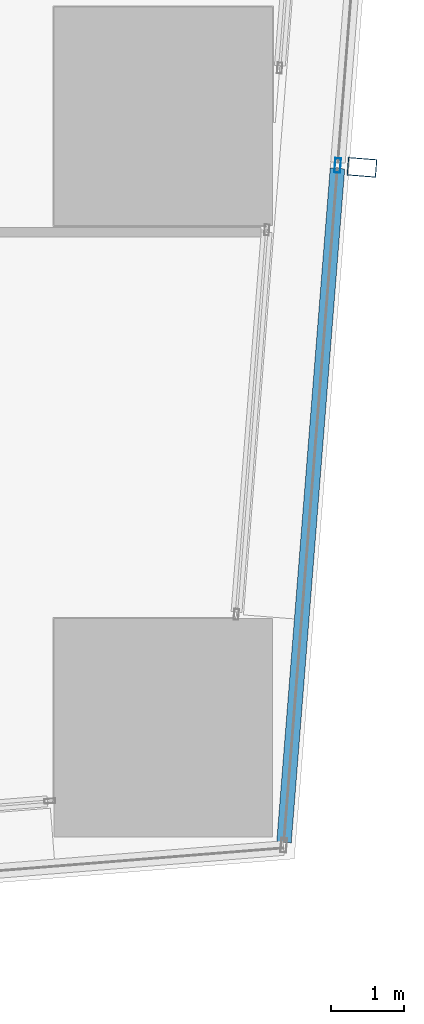
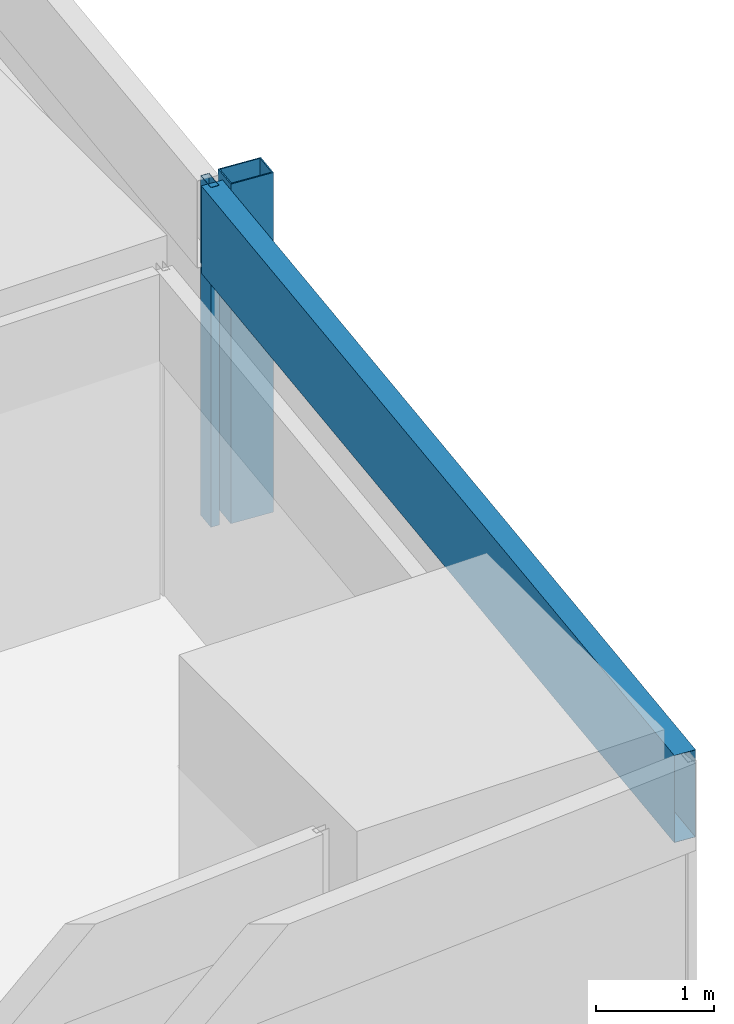
# One storey, part 25 of 45: 3 members, 1 element without a shape of its own.
"""IFC4 building model written with IfcOpenShell, lengths in metres."""

from ifc_helpers import new_model, si_unit, direction, frame, origin, origin_2d, place, context, subcontext, project, spatial, hollow_rectangle, extrude, material, material_profile, profile_set, type_object, element, aggregate, save


model = new_model("IFC4")

# Units and contexts
model_context = context("Model", 3, precision=1e-05, world=origin(), true_north=direction((0.0, 1.0)))
body_context = subcontext(model_context, "Body", "Model", "MODEL_VIEW")
ifc_project = project(units=[si_unit("LENGTHUNIT", "METRE"), si_unit("AREAUNIT", "SQUARE_METRE"), si_unit("VOLUMEUNIT", "CUBIC_METRE"), si_unit("PLANEANGLEUNIT", "RADIAN"), si_unit("MASSUNIT", "GRAM", prefix="KILO")], contexts=[model_context])

# Site, building, storey
site_placement = place(None, origin())
site = spatial("IfcSite", under=ifc_project, at=site_placement, CompositionType="ELEMENT")
building_placement = place(site_placement, origin())
building = spatial("IfcBuilding", under=site, at=building_placement, Name="Rekha Terrace Tower", CompositionType="ELEMENT")
storey_placement = place(building_placement, frame((0.0, 0.0, 77.89990234375)))
storey = spatial("IfcBuildingStorey", under=building, at=storey_placement, Name="L19", CompositionType="ELEMENT", Elevation=77.89990234375)

# Curtain wall, members
ifc_material_1 = material(Name="Aluminium framing", Category="aluminium")
curtain_wall_type = type_object("IfcCurtainWallType", Name="CW2 double skin outer glazing", PredefinedType="USERDEFINED", material=ifc_material_1)
curtain_wall_placement = place(storey_placement, origin())
curtain_wall = element("IfcCurtainWall", 1, at=curtain_wall_placement, inside=storey, type_object=curtain_wall_type, Name="CW2 double skin outer glazing", ObjectType="DOUBLE SKIN OUTER GLAZING", PredefinedType="USERDEFINED")
ifc_material_2 = material(Name="Steel S355 with fluorocarbon finish", Category="steel")
ifc_material_profile_1 = material_profile(ifc_material_2, hollow_rectangle(XDim=0.25, YDim=0.39990234375, WallThickness=0.012451171875, at=origin_2d()), Name="RHS400x250x12.5")
ifc_profile_set_1 = profile_set([ifc_material_profile_1], Name="Steel S355 with fluorocarbon finish")
member_type_1 = type_object("IfcMemberType", Name="BL1 facade blade RHS 400 x 250", PredefinedType="USERDEFINED", material=ifc_profile_set_1)
member_1_placement = place(storey_placement, frame((69.929443359375, 16.099365234375, 0.0), z_axis=(0.0, 0.0, 1.0), x_axis=(0.079116779322, 0.996865354614, 0.0)))
member_1 = element("IfcMember", 2, at=member_1_placement, type_object=member_type_1, Name="Facade blade", ObjectType="FACADE BLADE", PredefinedType="USERDEFINED", context=body_context, shape_type="SweptSolid", body=[
    extrude(hollow_rectangle(XDim=0.25, YDim=0.39990234375, WallThickness=0.012451171875, at=origin_2d()), origin(), (0.0, 0.0, 1.0), 3.5),
])
ifc_material_3 = material(Name="Aluminium mullion section", Category="aluminium")
ifc_material_profile_2 = material_profile(ifc_material_3, hollow_rectangle(XDim=0.080078125, YDim=0.199951171875, WallThickness=0.00390625, at=origin_2d()), Name="AL RHS 80x200")
ifc_profile_set_2 = profile_set([ifc_material_profile_2], Name="Aluminium mullion section")
member_type_2 = type_object("IfcMemberType", Name="CW2 mullion RHS 80 x 200", PredefinedType="MULLION", material=ifc_profile_set_2)
member_2_placement = place(storey_placement, frame((69.595458984375, 16.125732421875, 0.0), z_axis=(0.0, 0.0, 1.0), x_axis=(-0.996865392575, 0.079116301017, 0.0)))
member_2 = element("IfcMember", 3, at=member_2_placement, type_object=member_type_2, Name="CW2 mullion 2", PredefinedType="MULLION", context=body_context, shape_type="SweptSolid", body=[
    extrude(hollow_rectangle(XDim=0.080078125, YDim=0.199951171875, WallThickness=0.00390625, at=origin_2d()), origin(), (0.0, 0.0, 1.0), 3.5),
])
ifc_material_4 = material(Name="Insulated aluminium spandrel box", Category="aluminium")
ifc_material_profile_3 = material_profile(ifc_material_4, hollow_rectangle(XDim=0.199951171875, YDim=0.89990234375, WallThickness=0.0029296875, at=origin_2d()), Name="AL SPANDREL BOX 200x900")
ifc_profile_set_3 = profile_set([ifc_material_profile_3], Name="Insulated aluminium spandrel box")
member_type_3 = type_object("IfcMemberType", Name="CW2 spandrel transom 200 x 900", PredefinedType="USERDEFINED", material=ifc_profile_set_3)
member_3_placement = place(storey_placement, frame((68.857666015625, 6.828369140625, 3.050048828125), z_axis=(0.079104689968, 0.996866314019, 0.0), x_axis=(-0.996866314019, 0.079104689968, 0.0)))
member_3 = element("IfcMember", 4, at=member_3_placement, type_object=member_type_3, Name="CW2 spandrel transom 1", ObjectType="TRANSOM", PredefinedType="USERDEFINED", context=body_context, shape_type="SweptSolid", body=[
    extrude(hollow_rectangle(XDim=0.199951171875, YDim=0.89990234375, WallThickness=0.0029296875, at=origin_2d()), origin(), (0.0, 0.0, 1.0), 9.28662109375),
])
aggregate(curtain_wall, [member_2, member_3, member_1])

save(model, "model.ifc")
